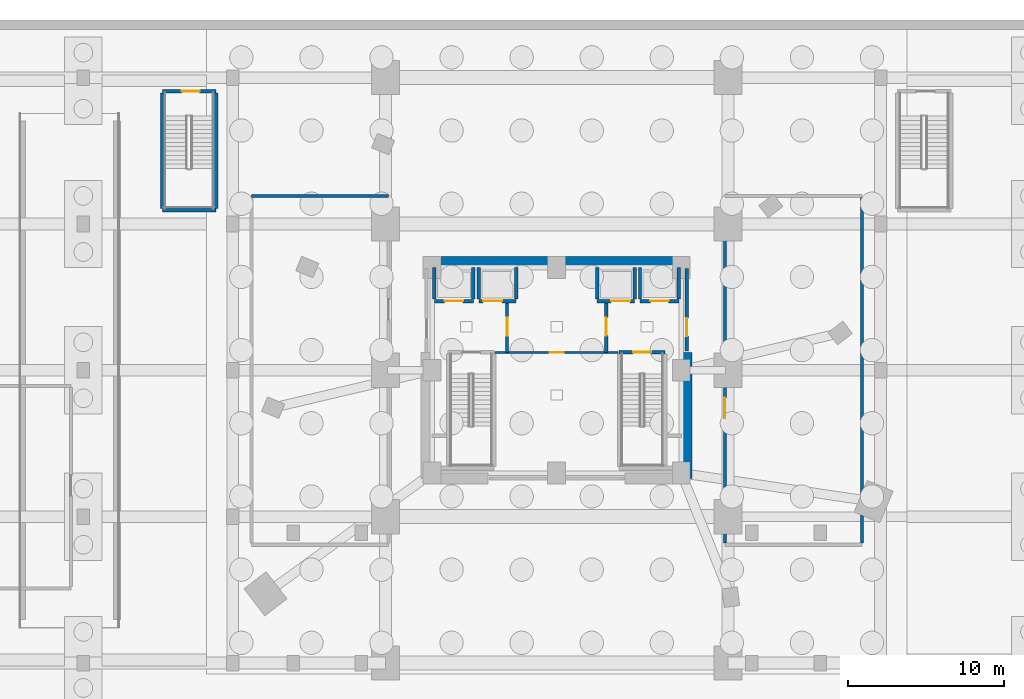
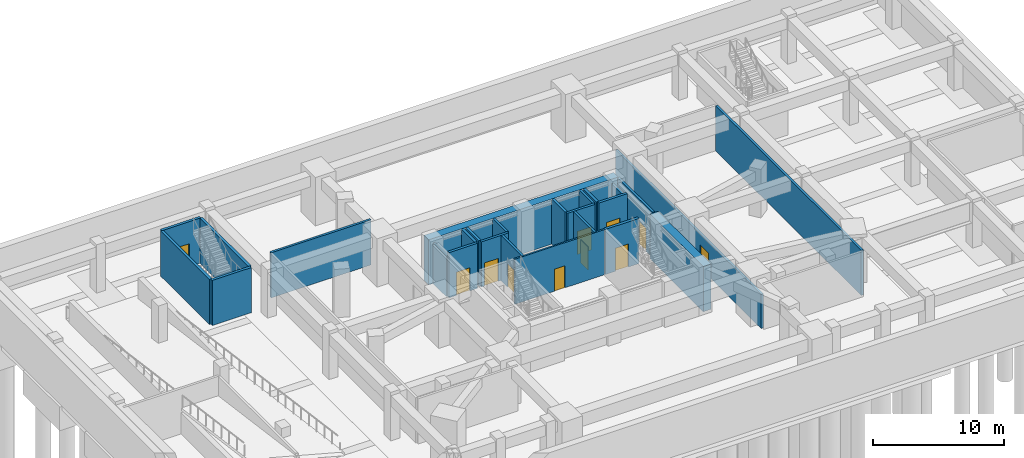
# One storey, part 4 of 10: 26 walls, 11 doors, 11 openings.
"""IFC4 building model written with IfcOpenShell, lengths in metres."""

from ifc_helpers import new_model, si_unit, direction, frame, frame_2d, origin, place, context, subcontext, project, spatial, rectangle, extrude, material, layer, layer_set, type_object, element, fill, save


model = new_model("IFC4")

# Units and contexts
model_context = context("Model", 3, precision=1e-05, world=origin(), true_north=direction((0.0, 1.0)))
body_context = subcontext(model_context, "Body", "Model", "MODEL_VIEW")
ifc_project = project(units=[si_unit("LENGTHUNIT", "METRE"), si_unit("AREAUNIT", "SQUARE_METRE"), si_unit("VOLUMEUNIT", "CUBIC_METRE"), si_unit("PLANEANGLEUNIT", "RADIAN"), si_unit("MASSUNIT", "GRAM", prefix="KILO")], contexts=[model_context])

# Site, building, storey
site_placement = place(None, origin())
site = spatial("IfcSite", under=ifc_project, at=site_placement, CompositionType="ELEMENT")
building_placement = place(site_placement, origin())
building = spatial("IfcBuilding", under=site, at=building_placement, Name="Ndelora Gate Hotel", CompositionType="ELEMENT")
storey_placement = place(building_placement, frame((0.0, 0.0, -13.5)))
storey = spatial("IfcBuildingStorey", under=building, at=storey_placement, Name="B03", CompositionType="ELEMENT", Elevation=-13.5)

# Walls
ifc_material_1 = material(Name="Concrete C60/75", Category="concrete")
ifc_layer_1 = layer(ifc_material_1, 0.699951171875)
ifc_layer_set_1 = layer_set([ifc_layer_1], Name="Concrete C60/75")
wall_type_1 = type_object("IfcWallType", Name="WL-CORE-700", PredefinedType="SHEAR", material=ifc_layer_set_1)
wall_1_placement = place(storey_placement, frame((-8.35009765625, 6.949951171875, 0.0), z_axis=(0.0, 0.0, 1.0), x_axis=(1.0, 0.0, 0.0)))
element("IfcWall", 1, at=wall_1_placement, inside=storey, type_object=wall_type_1, Name="B03 Core Shear Wall N", PredefinedType="SHEAR", context=body_context, shape_type="SweptSolid", body=[
    extrude(rectangle(XDim=16.7001953125, YDim=0.699951171875, at=frame_2d((8.35009765625, 0.0))), origin(), (0.0, 0.0, 1.0), 4.199951171875),
])
wall_2_placement = place(storey_placement, frame((8.35009765625, -6.949951171875, 0.0), z_axis=(0.0, 0.0, 1.0), x_axis=(0.0, 1.0, 0.0)))
element("IfcWall", 2, at=wall_2_placement, inside=storey, type_object=wall_type_1, Name="B03 Core Shear Wall E", PredefinedType="SHEAR", context=body_context, shape_type="SweptSolid", body=[
    extrude(rectangle(XDim=8.099853515625, YDim=0.699951171875, at=frame_2d((4.0498046875, 0.0))), origin(), (0.0, 0.0, 1.0), 4.199951171875),
])

# Wall, opening, door
ifc_material_2 = material(Name="Concrete C40/50", Category="concrete")
ifc_layer_2 = layer(ifc_material_2, 0.199951171875)
ifc_layer_set_2 = layer_set([ifc_layer_2], Name="Concrete C40/50")
wall_type_2 = type_object("IfcWallType", Name="WL-FIRE-200", PredefinedType="PARTITIONING", material=ifc_layer_set_2)
wall_3_placement = place(storey_placement, frame((-3.179931640625, 1.14990234375, 0.0), z_axis=(0.0, 0.0, 1.0), x_axis=(0.0, 1.0, 0.0)))
wall_3 = element("IfcWall", 3, at=wall_3_placement, inside=storey, type_object=wall_type_2, Name="B03 Interior Wall IW-2", PredefinedType="PARTITIONING", context=body_context, shape_type="SweptSolid", body=[
    extrude(rectangle(XDim=3.300048828125, YDim=0.199951171875, at=frame_2d((1.64990234375, 0.0))), origin(), (0.0, 0.0, 1.0), 4.199951171875),
])
opening_1_placement = place(wall_3_placement, frame((1.080078125, 0.0, 0.0)))
opening_1 = element("IfcOpeningElement", 4, at=opening_1_placement, cuts=wall_3, Name="Opening FD1", PredefinedType="OPENING", context=body_context, shape_type="SweptSolid", body=[
    extrude(rectangle(XDim=1.14990234375, YDim=2.14990234375, at=frame_2d((0.574951171875, 1.074951171875))), frame((0.0, 0.10986328125, 0.0), z_axis=(0.0, -1.0, 0.0), x_axis=(1.0, 0.0, 0.0)), (0.0, 0.0, 1.0), 0.219970703125),
])
ifc_material_3 = material(Name="Fire-Rated Timber-Veneer Steel Core", Category="steel")
door_type_1 = type_object("IfcDoorType", Name="DR-FD60", OperationType="SINGLE_SWING_LEFT", PredefinedType="DOOR", material=ifc_material_3)
door_1_placement = place(opening_1_placement, origin())
door_1 = element("IfcDoor", 5, at=door_1_placement, inside=storey, type_object=door_type_1, Name="B03 Firefighting Lobby West Door", OperationType="SINGLE_SWING_RIGHT", OverallHeight=2.14990234375, OverallWidth=1.14990234375, PredefinedType="DOOR", context=body_context, shape_type="SweptSolid", body=[
    extrude(rectangle(XDim=1.14990234375, YDim=2.14990234375, at=frame_2d((0.574951171875, 1.074951171875))), frame((0.0, 0.02490234375, 0.0), z_axis=(0.0, -1.0, 0.0), x_axis=(1.0, 0.0, 0.0)), (0.0, 0.0, 1.0), 0.050048828125),
])
fill(opening_1, door_1)

wall_4_placement = place(storey_placement, frame((3.179931640625, 1.14990234375, 0.0), z_axis=(0.0, 0.0, 1.0), x_axis=(0.0, 1.0, 0.0)))
wall_4 = element("IfcWall", 6, at=wall_4_placement, inside=storey, type_object=wall_type_2, Name="B03 Interior Wall IW-2", PredefinedType="PARTITIONING", context=body_context, shape_type="SweptSolid", body=[
    extrude(rectangle(XDim=3.300048828125, YDim=0.199951171875, at=frame_2d((1.64990234375, 0.0))), origin(), (0.0, 0.0, 1.0), 4.199951171875),
])
opening_2_placement = place(wall_4_placement, frame((1.080078125, 0.0, 0.0)))
opening_2 = element("IfcOpeningElement", 7, at=opening_2_placement, cuts=wall_4, Name="Opening FD1", PredefinedType="OPENING", context=body_context, shape_type="SweptSolid", body=[
    extrude(rectangle(XDim=1.14990234375, YDim=2.14990234375, at=frame_2d((0.574951171875, 1.074951171875))), frame((0.0, 0.10986328125, 0.0), z_axis=(0.0, -1.0, 0.0), x_axis=(1.0, 0.0, 0.0)), (0.0, 0.0, 1.0), 0.219970703125),
])
door_2_placement = place(opening_2_placement, origin())
door_2 = element("IfcDoor", 8, at=door_2_placement, inside=storey, type_object=door_type_1, Name="B03 Firefighting Lobby East Door", OperationType="SINGLE_SWING_LEFT", OverallHeight=2.14990234375, OverallWidth=1.14990234375, PredefinedType="DOOR", context=body_context, shape_type="SweptSolid", body=[
    extrude(rectangle(XDim=1.14990234375, YDim=2.14990234375, at=frame_2d((0.574951171875, 1.074951171875))), frame((0.0, 0.02490234375, 0.0), z_axis=(0.0, -1.0, 0.0), x_axis=(1.0, 0.0, 0.0)), (0.0, 0.0, 1.0), 0.050048828125),
])
fill(opening_2, door_2)

wall_5_placement = place(storey_placement, frame((8.35009765625, 1.25, 0.0), z_axis=(0.0, 0.0, 1.0), x_axis=(0.0, 1.0, 0.0)))
wall_5 = element("IfcWall", 9, at=wall_5_placement, inside=storey, type_object=wall_type_2, Name="B03 Interior Wall IW-2", PredefinedType="PARTITIONING", context=body_context, shape_type="SweptSolid", body=[
    extrude(rectangle(XDim=5.300048828125, YDim=0.199951171875, at=frame_2d((2.64990234375, 0.0))), origin(), (0.0, 0.0, 1.0), 4.199951171875),
])
opening_3_placement = place(wall_5_placement, frame((0.949951171875, 0.0, 0.0)))
opening_3 = element("IfcOpeningElement", 10, at=opening_3_placement, cuts=wall_5, Name="Opening FD1", PredefinedType="OPENING", context=body_context, shape_type="SweptSolid", body=[
    extrude(rectangle(XDim=1.14990234375, YDim=2.14990234375, at=frame_2d((0.574951171875, 1.074951171875))), frame((0.0, 0.10986328125, 0.0), z_axis=(0.0, -1.0, 0.0), x_axis=(1.0, 0.0, 0.0)), (0.0, 0.0, 1.0), 0.219970703125),
])
door_3_placement = place(opening_3_placement, origin())
door_3 = element("IfcDoor", 11, at=door_3_placement, inside=storey, type_object=door_type_1, Name="B03 Firefighting Lobby East Corridor Door", OperationType="SINGLE_SWING_RIGHT", OverallHeight=2.14990234375, OverallWidth=1.14990234375, PredefinedType="DOOR", context=body_context, shape_type="SweptSolid", body=[
    extrude(rectangle(XDim=1.14990234375, YDim=2.14990234375, at=frame_2d((0.574951171875, 1.074951171875))), frame((0.0, 0.02490234375, 0.0), z_axis=(0.0, -1.0, 0.0), x_axis=(1.0, 0.0, 0.0)), (0.0, 0.0, 1.0), 0.050048828125),
])
fill(opening_3, door_3)

# Wall
wall_6_placement = place(storey_placement, frame((-19.60009765625, 11.199951171875, 0.0), z_axis=(0.0, 0.0, 1.0), x_axis=(1.0, 0.0, 0.0)))
element("IfcWall", 12, at=wall_6_placement, inside=storey, type_object=wall_type_2, Name="B03 Interior Wall IW-2", PredefinedType="PARTITIONING", context=body_context, shape_type="SweptSolid", body=[
    extrude(rectangle(XDim=8.800048828125, YDim=0.199951171875, at=frame_2d((4.39990234375, 0.0))), origin(), (0.0, 0.0, 1.0), 4.199951171875),
])

# Wall, opening, door
wall_7_placement = place(storey_placement, frame((10.800048828125, 11.090087890625, 0.0), z_axis=(0.0, 0.0, 1.0), x_axis=(0.0, -1.0, 0.0)))
wall_7 = element("IfcWall", 13, at=wall_7_placement, inside=storey, type_object=wall_type_2, Name="B03 Interior Wall IW-2", PredefinedType="PARTITIONING", context=body_context, shape_type="SweptSolid", body=[
    extrude(rectangle(XDim=22.18017578125, YDim=0.199951171875, at=frame_2d((11.090087890625, 0.0))), origin(), (0.0, 0.0, 1.0), 3.179931640625),
])
opening_4_placement = place(wall_7_placement, frame((12.860107421875, 0.0, 0.0)))
opening_4 = element("IfcOpeningElement", 14, at=opening_4_placement, cuts=wall_7, Name="Opening FD3", PredefinedType="OPENING", context=body_context, shape_type="SweptSolid", body=[
    extrude(rectangle(XDim=1.300048828125, YDim=2.14990234375, at=frame_2d((0.64990234375, 1.074951171875))), frame((0.0, 0.10986328125, 0.0), z_axis=(0.0, -1.0, 0.0), x_axis=(1.0, 0.0, 0.0)), (0.0, 0.0, 1.0), 0.219970703125),
])
ifc_material_4 = material(Name="Insulated Steel Plant Room Fire Door", Category="steel")
door_type_2 = type_object("IfcDoorType", Name="DR-PLT-1300", OperationType="SINGLE_SWING_LEFT", PredefinedType="DOOR", material=ifc_material_4)
door_4_placement = place(opening_4_placement, origin())
door_4 = element("IfcDoor", 15, at=door_4_placement, inside=storey, type_object=door_type_2, Name="B03 Central Chiller and Heat Pump Hall Door", OperationType="SINGLE_SWING_RIGHT", OverallHeight=2.14990234375, OverallWidth=1.300048828125, PredefinedType="DOOR", context=body_context, shape_type="SweptSolid", body=[
    extrude(rectangle(XDim=1.300048828125, YDim=2.14990234375, at=frame_2d((0.64990234375, 1.074951171875))), frame((0.0, 0.02490234375, 0.0), z_axis=(0.0, -1.0, 0.0), x_axis=(1.0, 0.0, 0.0)), (0.0, 0.0, 1.0), 0.050048828125),
])
fill(opening_4, door_4)

# Wall
wall_8_placement = place(storey_placement, frame((19.60009765625, -11.090087890625, 0.0), z_axis=(0.0, 0.0, 1.0), x_axis=(0.0, 1.0, 0.0)))
element("IfcWall", 16, at=wall_8_placement, inside=storey, type_object=wall_type_2, Name="B03 Interior Wall IW-2", PredefinedType="PARTITIONING", context=body_context, shape_type="SweptSolid", body=[
    extrude(rectangle(XDim=22.18017578125, YDim=0.199951171875, at=frame_2d((11.090087890625, 0.0))), origin(), (0.0, 0.0, 1.0), 4.199951171875),
])

# Wall, opening, door
ifc_material_5 = material(Name="Fire-Rated Gypsum Stud Partition", Category="gypsum")
ifc_layer_3 = layer(ifc_material_5, 0.14990234375)
ifc_layer_set_3 = layer_set([ifc_layer_3], Name="Fire-Rated Gypsum Stud Partition")
wall_type_3 = type_object("IfcWallType", Name="WL-PART-150", PredefinedType="PARTITIONING", material=ifc_layer_set_3)
wall_9_placement = place(storey_placement, frame((3.949951171875, 1.14990234375, 0.0), z_axis=(0.0, 0.0, 1.0), x_axis=(-1.0, 0.0, 0.0)))
wall_9 = element("IfcWall", 17, at=wall_9_placement, inside=storey, type_object=wall_type_3, Name="B03 Interior Wall IW-5", PredefinedType="PARTITIONING", context=body_context, shape_type="SweptSolid", body=[
    extrude(rectangle(XDim=7.89990234375, YDim=0.14990234375, at=frame_2d((3.949951171875, 0.0))), origin(), (0.0, 0.0, 1.0), 4.199951171875),
])
opening_5_placement = place(wall_9_placement, frame((3.489990234375, 0.0, 0.0)))
opening_5 = element("IfcOpeningElement", 18, at=opening_5_placement, cuts=wall_9, Name="Opening D04", PredefinedType="OPENING", context=body_context, shape_type="SweptSolid", body=[
    extrude(rectangle(XDim=0.919921875, YDim=2.050048828125, at=frame_2d((0.4599609375, 1.02490234375))), frame((0.0, 0.0849609375, 0.0), z_axis=(0.0, -1.0, 0.0), x_axis=(1.0, 0.0, 0.0)), (0.0, 0.0, 1.0), 0.169921875),
])
ifc_material_6 = material(Name="Painted Steel Core Service Door", Category="steel")
door_type_3 = type_object("IfcDoorType", Name="DR-SER-920", OperationType="SINGLE_SWING_LEFT", PredefinedType="DOOR", material=ifc_material_6)
door_5_placement = place(opening_5_placement, origin())
door_5 = element("IfcDoor", 19, at=door_5_placement, inside=storey, type_object=door_type_3, Name="B03 Core Electrical and Linen Service Store Door", OperationType="SINGLE_SWING_LEFT", OverallHeight=2.050048828125, OverallWidth=0.919921875, PredefinedType="DOOR", context=body_context, shape_type="SweptSolid", body=[
    extrude(rectangle(XDim=0.919921875, YDim=2.050048828125, at=frame_2d((0.4599609375, 1.02490234375))), frame((0.0, 0.02490234375, 0.0), z_axis=(0.0, -1.0, 0.0), x_axis=(1.0, 0.0, 0.0)), (0.0, 0.0, 1.0), 0.050048828125),
])
fill(opening_5, door_5)

ifc_layer_4 = layer(ifc_material_2, 0.219970703125)
ifc_layer_set_4 = layer_set([ifc_layer_4], Name="Concrete C40/50")
wall_type_4 = type_object("IfcWallType", Name="WL-SHAFT-220", PredefinedType="PARTITIONING", material=ifc_layer_set_4)
wall_10_placement = place(storey_placement, frame((-7.85009765625, 4.449951171875, 0.0), z_axis=(0.0, 0.0, 1.0), x_axis=(1.0, 0.0, 0.0)))
wall_10 = element("IfcWall", 20, at=wall_10_placement, inside=storey, type_object=wall_type_4, Name="B03 Interior Wall IW-1", PredefinedType="PARTITIONING", context=body_context, shape_type="SweptSolid", body=[
    extrude(rectangle(XDim=2.5, YDim=0.219970703125, at=frame_2d((1.25, 0.0))), origin(), (0.0, 0.0, 1.0), 4.199951171875),
])
opening_6_placement = place(wall_10_placement, frame((0.659912109375, 0.0, 0.0)))
opening_6 = element("IfcOpeningElement", 21, at=opening_6_placement, cuts=wall_10, Name="Opening LD5", PredefinedType="OPENING", context=body_context, shape_type="SweptSolid", body=[
    extrude(rectangle(XDim=1.179931640625, YDim=2.14990234375, at=frame_2d((0.58984375, 1.074951171875))), frame((0.0, 0.1201171875, 0.0), z_axis=(0.0, -1.0, 0.0), x_axis=(1.0, 0.0, 0.0)), (0.0, 0.0, 1.0), 0.239990234375),
])
ifc_material_7 = material(Name="Firefighting Lift Stainless Sliding Landing Door", Category="metal")
door_type_4 = type_object("IfcDoorType", Name="DR-LD5", OperationType="DOUBLE_DOOR_SLIDING", PredefinedType="DOOR", material=ifc_material_7)
door_6_placement = place(opening_6_placement, origin())
door_6 = element("IfcDoor", 22, at=door_6_placement, inside=storey, type_object=door_type_4, Name="B03 Lift Landing Sliding Door FFL1", OperationType="DOUBLE_DOOR_SLIDING", OverallHeight=2.14990234375, OverallWidth=1.179931640625, PredefinedType="DOOR", context=body_context, shape_type="SweptSolid", body=[
    extrude(rectangle(XDim=1.179931640625, YDim=2.14990234375, at=frame_2d((0.58984375, 1.074951171875))), frame((0.0, 0.02490234375, 0.0), z_axis=(0.0, -1.0, 0.0), x_axis=(1.0, 0.0, 0.0)), (0.0, 0.0, 1.0), 0.050048828125),
])
fill(opening_6, door_6)

# Walls
wall_11_placement = place(storey_placement, frame((-7.85009765625, 4.570068359375, 0.0), z_axis=(0.0, 0.0, 1.0), x_axis=(0.0, 1.0, 0.0)))
element("IfcWall", 23, at=wall_11_placement, inside=storey, type_object=wall_type_4, Name="B03 Interior Wall IW-1", PredefinedType="PARTITIONING", context=body_context, shape_type="SweptSolid", body=[
    extrude(rectangle(XDim=2.030029296875, YDim=0.219970703125, at=frame_2d((1.01513671875, 0.0))), origin(), (0.0, 0.0, 1.0), 3.780029296875),
])
wall_12_placement = place(storey_placement, frame((-5.35009765625, 4.570068359375, 0.0), z_axis=(0.0, 0.0, 1.0), x_axis=(0.0, 1.0, 0.0)))
element("IfcWall", 24, at=wall_12_placement, inside=storey, type_object=wall_type_4, Name="B03 Interior Wall IW-1", PredefinedType="PARTITIONING", context=body_context, shape_type="SweptSolid", body=[
    extrude(rectangle(XDim=2.030029296875, YDim=0.219970703125, at=frame_2d((1.01513671875, 0.0))), origin(), (0.0, 0.0, 1.0), 4.199951171875),
])

# Wall, opening, door
wall_13_placement = place(storey_placement, frame((5.35009765625, 4.449951171875, 0.0), z_axis=(0.0, 0.0, 1.0), x_axis=(1.0, 0.0, 0.0)))
wall_13 = element("IfcWall", 25, at=wall_13_placement, inside=storey, type_object=wall_type_4, Name="B03 Interior Wall IW-1", PredefinedType="PARTITIONING", context=body_context, shape_type="SweptSolid", body=[
    extrude(rectangle(XDim=2.5, YDim=0.219970703125, at=frame_2d((1.25, 0.0))), origin(), (0.0, 0.0, 1.0), 4.199951171875),
])
opening_7_placement = place(wall_13_placement, frame((0.659912109375, 0.0, 0.0)))
opening_7 = element("IfcOpeningElement", 26, at=opening_7_placement, cuts=wall_13, Name="Opening LD5", PredefinedType="OPENING", context=body_context, shape_type="SweptSolid", body=[
    extrude(rectangle(XDim=1.179931640625, YDim=2.14990234375, at=frame_2d((0.58984375, 1.074951171875))), frame((0.0, 0.1201171875, 0.0), z_axis=(0.0, -1.0, 0.0), x_axis=(1.0, 0.0, 0.0)), (0.0, 0.0, 1.0), 0.239990234375),
])
door_7_placement = place(opening_7_placement, origin())
door_7 = element("IfcDoor", 27, at=door_7_placement, inside=storey, type_object=door_type_4, Name="B03 Lift Landing Sliding Door FFL2", OperationType="DOUBLE_DOOR_SLIDING", OverallHeight=2.14990234375, OverallWidth=1.179931640625, PredefinedType="DOOR", context=body_context, shape_type="SweptSolid", body=[
    extrude(rectangle(XDim=1.179931640625, YDim=2.14990234375, at=frame_2d((0.58984375, 1.074951171875))), frame((0.0, 0.02490234375, 0.0), z_axis=(0.0, -1.0, 0.0), x_axis=(1.0, 0.0, 0.0)), (0.0, 0.0, 1.0), 0.050048828125),
])
fill(opening_7, door_7)

# Walls
wall_14_placement = place(storey_placement, frame((5.35009765625, 4.570068359375, 0.0), z_axis=(0.0, 0.0, 1.0), x_axis=(0.0, 1.0, 0.0)))
element("IfcWall", 28, at=wall_14_placement, inside=storey, type_object=wall_type_4, Name="B03 Interior Wall IW-1", PredefinedType="PARTITIONING", context=body_context, shape_type="SweptSolid", body=[
    extrude(rectangle(XDim=2.030029296875, YDim=0.219970703125, at=frame_2d((1.01513671875, 0.0))), origin(), (0.0, 0.0, 1.0), 4.199951171875),
])
wall_15_placement = place(storey_placement, frame((7.85009765625, 4.570068359375, 0.0), z_axis=(0.0, 0.0, 1.0), x_axis=(0.0, 1.0, 0.0)))
element("IfcWall", 29, at=wall_15_placement, inside=storey, type_object=wall_type_4, Name="B03 Interior Wall IW-1", PredefinedType="PARTITIONING", context=body_context, shape_type="SweptSolid", body=[
    extrude(rectangle(XDim=2.030029296875, YDim=0.219970703125, at=frame_2d((1.01513671875, 0.0))), origin(), (0.0, 0.0, 1.0), 3.780029296875),
])

# Wall, opening, door
wall_16_placement = place(storey_placement, frame((-5.0, 4.449951171875, 0.0), z_axis=(0.0, 0.0, 1.0), x_axis=(1.0, 0.0, 0.0)))
wall_16 = element("IfcWall", 30, at=wall_16_placement, inside=storey, type_object=wall_type_4, Name="B03 Interior Wall IW-1", PredefinedType="PARTITIONING", context=body_context, shape_type="SweptSolid", body=[
    extrude(rectangle(XDim=2.39990234375, YDim=0.219970703125, at=frame_2d((1.199951171875, 0.0))), origin(), (0.0, 0.0, 1.0), 4.199951171875),
])
opening_8_placement = place(wall_16_placement, frame((0.280029296875, 0.0, 0.0)))
opening_8 = element("IfcOpeningElement", 31, at=opening_8_placement, cuts=wall_16, Name="Opening LD6", PredefinedType="OPENING", context=body_context, shape_type="SweptSolid", body=[
    extrude(rectangle(XDim=1.219970703125, YDim=2.14990234375, at=frame_2d((0.60986328125, 1.074951171875))), frame((0.0, 0.1201171875, 0.0), z_axis=(0.0, -1.0, 0.0), x_axis=(1.0, 0.0, 0.0)), (0.0, 0.0, 1.0), 0.239990234375),
])
ifc_material_8 = material(Name="Heavy-Duty Service Lift Sliding Landing Door", Category="wood")
door_type_5 = type_object("IfcDoorType", Name="DR-LD6", OperationType="DOUBLE_DOOR_SLIDING", PredefinedType="DOOR", material=ifc_material_8)
door_8_placement = place(opening_8_placement, origin())
door_8 = element("IfcDoor", 32, at=door_8_placement, inside=storey, type_object=door_type_5, Name="B03 Lift Landing Sliding Door SVL1", OperationType="DOUBLE_DOOR_SLIDING", OverallHeight=2.14990234375, OverallWidth=1.219970703125, PredefinedType="DOOR", context=body_context, shape_type="SweptSolid", body=[
    extrude(rectangle(XDim=1.219970703125, YDim=2.14990234375, at=frame_2d((0.60986328125, 1.074951171875))), frame((0.0, 0.02490234375, 0.0), z_axis=(0.0, -1.0, 0.0), x_axis=(1.0, 0.0, 0.0)), (0.0, 0.0, 1.0), 0.050048828125),
])
fill(opening_8, door_8)

# Walls
for number, where, z_axis, x_axis, name in (
    (33, (-5.0, 4.570068359375, 0.0), (0.0, 0.0, 1.0), (0.0, 1.0, 0.0), "B03 Interior Wall IW-1"),
    (34, (-2.60009765625, 4.570068359375, 0.0), (0.0, 0.0, 1.0), (0.0, 1.0, 0.0), "B03 Interior Wall IW-1"),
):
    element("IfcWall", number, at=place(storey_placement, frame(where, z_axis=z_axis, x_axis=x_axis)), inside=storey, type_object=wall_type_4, Name=name, PredefinedType="PARTITIONING", context=body_context, shape_type="SweptSolid", body=[
        extrude(rectangle(XDim=2.030029296875, YDim=0.219970703125, at=frame_2d((1.01513671875, 0.0))), origin(), (0.0, 0.0, 1.0), 4.199951171875),
    ])

# Wall, opening, door
wall_17_placement = place(storey_placement, frame((2.60009765625, 4.449951171875, 0.0), z_axis=(0.0, 0.0, 1.0), x_axis=(1.0, 0.0, 0.0)))
wall_17 = element("IfcWall", 35, at=wall_17_placement, inside=storey, type_object=wall_type_4, Name="B03 Interior Wall IW-1", PredefinedType="PARTITIONING", context=body_context, shape_type="SweptSolid", body=[
    extrude(rectangle(XDim=2.39990234375, YDim=0.219970703125, at=frame_2d((1.199951171875, 0.0))), origin(), (0.0, 0.0, 1.0), 4.199951171875),
])
opening_9_placement = place(wall_17_placement, frame((0.89990234375, 0.0, 0.0)))
opening_9 = element("IfcOpeningElement", 36, at=opening_9_placement, cuts=wall_17, Name="Opening LD6", PredefinedType="OPENING", context=body_context, shape_type="SweptSolid", body=[
    extrude(rectangle(XDim=1.219970703125, YDim=2.14990234375, at=frame_2d((0.60986328125, 1.074951171875))), frame((0.0, 0.1201171875, 0.0), z_axis=(0.0, -1.0, 0.0), x_axis=(1.0, 0.0, 0.0)), (0.0, 0.0, 1.0), 0.239990234375),
])
door_9_placement = place(opening_9_placement, origin())
door_9 = element("IfcDoor", 37, at=door_9_placement, inside=storey, type_object=door_type_5, Name="B03 Lift Landing Sliding Door SVL2", OperationType="DOUBLE_DOOR_SLIDING", OverallHeight=2.14990234375, OverallWidth=1.219970703125, PredefinedType="DOOR", context=body_context, shape_type="SweptSolid", body=[
    extrude(rectangle(XDim=1.219970703125, YDim=2.14990234375, at=frame_2d((0.60986328125, 1.074951171875))), frame((0.0, 0.02490234375, 0.0), z_axis=(0.0, -1.0, 0.0), x_axis=(1.0, 0.0, 0.0)), (0.0, 0.0, 1.0), 0.050048828125),
])
fill(opening_9, door_9)

# Walls
for number, where, z_axis, x_axis, name in (
    (38, (2.60009765625, 4.570068359375, 0.0), (0.0, 0.0, 1.0), (0.0, 1.0, 0.0), "B03 Interior Wall IW-1"),
    (39, (5.0, 4.570068359375, 0.0), (0.0, 0.0, 1.0), (0.0, 1.0, 0.0), "B03 Interior Wall IW-1"),
):
    element("IfcWall", number, at=place(storey_placement, frame(where, z_axis=z_axis, x_axis=x_axis)), inside=storey, type_object=wall_type_4, Name=name, PredefinedType="PARTITIONING", context=body_context, shape_type="SweptSolid", body=[
        extrude(rectangle(XDim=2.030029296875, YDim=0.219970703125, at=frame_2d((1.01513671875, 0.0))), origin(), (0.0, 0.0, 1.0), 4.199951171875),
    ])

# Wall, opening, door
ifc_material_9 = material(Name="Concrete C50/60", Category="concrete")
ifc_layer_5 = layer(ifc_material_9, 0.239990234375)
ifc_layer_set_5 = layer_set([ifc_layer_5], Name="Concrete C50/60")
wall_type_5 = type_object("IfcWallType", Name="WL-STAIR-240", PredefinedType="SHEAR", material=ifc_layer_set_5)
wall_18_placement = place(storey_placement, frame((4.010009765625, 1.169921875, 0.0), z_axis=(0.0, 0.0, 1.0), x_axis=(1.0, 0.0, 0.0)))
wall_18 = element("IfcWall", 40, at=wall_18_placement, inside=storey, type_object=wall_type_5, Name="B03 Stair Core Shear Wall SW-ST", PredefinedType="SHEAR", context=body_context, shape_type="SweptSolid", body=[
    extrude(rectangle(XDim=2.9599609375, YDim=0.239990234375, at=frame_2d((1.47998046875, 0.0))), origin(), (0.0, 0.0, 1.0), 4.199951171875),
])
opening_10_placement = place(wall_18_placement, frame((0.89990234375, 0.0, 0.0)))
opening_10 = element("IfcOpeningElement", 41, at=opening_10_placement, cuts=wall_18, Name="Opening FD1", PredefinedType="OPENING", context=body_context, shape_type="SweptSolid", body=[
    extrude(rectangle(XDim=1.14990234375, YDim=2.14990234375, at=frame_2d((0.574951171875, 1.074951171875))), frame((0.0, 0.1298828125, 0.0), z_axis=(0.0, -1.0, 0.0), x_axis=(1.0, 0.0, 0.0)), (0.0, 0.0, 1.0), 0.260009765625),
])
door_10_placement = place(opening_10_placement, origin())
door_10 = element("IfcDoor", 42, at=door_10_placement, inside=storey, type_object=door_type_1, Name="B03 Exit Stair ST5 Door", OperationType="SINGLE_SWING_RIGHT", OverallHeight=2.14990234375, OverallWidth=1.14990234375, PredefinedType="DOOR", context=body_context, shape_type="SweptSolid", body=[
    extrude(rectangle(XDim=1.14990234375, YDim=2.14990234375, at=frame_2d((0.574951171875, 1.074951171875))), frame((0.0, 0.02490234375, 0.0), z_axis=(0.0, -1.0, 0.0), x_axis=(1.0, 0.0, 0.0)), (0.0, 0.0, 1.0), 0.050048828125),
])
fill(opening_10, door_10)

# Walls
for number, where, z_axis, x_axis, name in (
    (43, (-25.320068359375, 10.389892578125, 0.0), (0.0, 0.0, 1.0), (0.0, 1.0, 0.0), "B03 Stair Core Shear Wall SW-ST"),
    (44, (-21.8798828125, 10.389892578125, 0.0), (0.0, 0.0, 1.0), (0.0, 1.0, 0.0), "B03 Stair Core Shear Wall SW-ST"),
):
    element("IfcWall", number, at=place(storey_placement, frame(where, z_axis=z_axis, x_axis=x_axis)), inside=storey, type_object=wall_type_5, Name=name, PredefinedType="SHEAR", context=body_context, shape_type="SweptSolid", body=[
        extrude(rectangle(XDim=7.420166015625, YDim=0.239990234375, at=frame_2d((3.7099609375, 0.0))), origin(), (0.0, 0.0, 1.0), 4.199951171875),
    ])
wall_19_placement = place(storey_placement, frame((-25.320068359375, 10.280029296875, 0.0), z_axis=(0.0, 0.0, 1.0), x_axis=(1.0, 0.0, 0.0)))
element("IfcWall", 45, at=wall_19_placement, inside=storey, type_object=wall_type_5, Name="B03 Stair Core Shear Wall SW-ST", PredefinedType="SHEAR", context=body_context, shape_type="SweptSolid", body=[
    extrude(rectangle(XDim=3.440185546875, YDim=0.239990234375, at=frame_2d((1.72021484375, 0.0))), origin(), (0.0, 0.0, 1.0), 4.199951171875),
])

# Wall, opening, door
wall_20_placement = place(storey_placement, frame((-21.8798828125, 17.919921875, 0.0), z_axis=(0.0, 0.0, 1.0), x_axis=(-1.0, 0.0, 0.0)))
wall_20 = element("IfcWall", 46, at=wall_20_placement, inside=storey, type_object=wall_type_5, Name="B03 Stair Core Shear Wall SW-ST", PredefinedType="SHEAR", context=body_context, shape_type="SweptSolid", body=[
    extrude(rectangle(XDim=3.440185546875, YDim=0.239990234375, at=frame_2d((1.72021484375, 0.0))), origin(), (0.0, 0.0, 1.0), 4.199951171875),
])
opening_11_placement = place(wall_20_placement, frame((1.050048828125, 0.0, 0.0)))
opening_11 = element("IfcOpeningElement", 47, at=opening_11_placement, cuts=wall_20, Name="Opening FD1", PredefinedType="OPENING", context=body_context, shape_type="SweptSolid", body=[
    extrude(rectangle(XDim=1.14990234375, YDim=2.14990234375, at=frame_2d((0.574951171875, 1.074951171875))), frame((0.0, 0.1298828125, 0.0), z_axis=(0.0, -1.0, 0.0), x_axis=(1.0, 0.0, 0.0)), (0.0, 0.0, 1.0), 0.260009765625),
])
door_11_placement = place(opening_11_placement, origin())
door_11 = element("IfcDoor", 48, at=door_11_placement, inside=storey, type_object=door_type_1, Name="B03 Escape Stair ST1 Door", OperationType="SINGLE_SWING_LEFT", OverallHeight=2.14990234375, OverallWidth=1.14990234375, PredefinedType="DOOR", context=body_context, shape_type="SweptSolid", body=[
    extrude(rectangle(XDim=1.14990234375, YDim=2.14990234375, at=frame_2d((0.574951171875, 1.074951171875))), frame((0.0, 0.02490234375, 0.0), z_axis=(0.0, -1.0, 0.0), x_axis=(1.0, 0.0, 0.0)), (0.0, 0.0, 1.0), 0.050048828125),
])
fill(opening_11, door_11)

save(model, "model.ifc")
